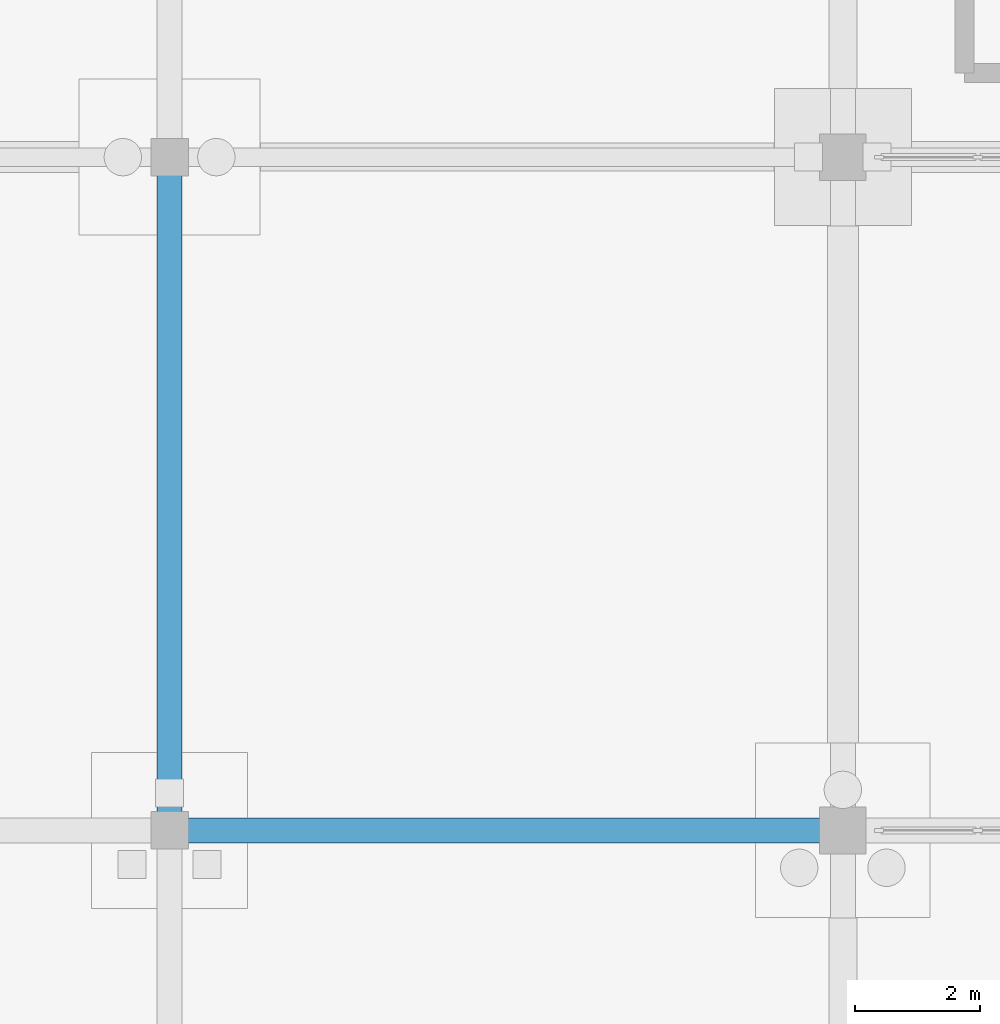
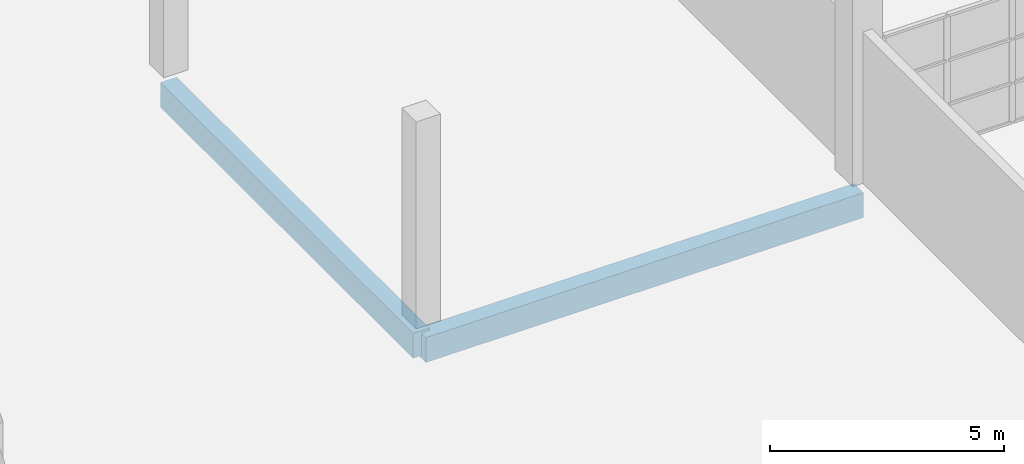
# One storey, part 46 of 138: 2 beams.
"""IFC4 building model written with IfcOpenShell, lengths in metres."""

from ifc_helpers import new_model, si_unit, direction, frame, origin, origin_2d, place, context, subcontext, project, spatial, rectangle, extrude, material, material_profile, profile_set, type_object, element, save


model = new_model("IFC4")

# Units and contexts
model_context = context("Model", 3, precision=1e-05, world=origin(), true_north=direction((0.0, 1.0)))
body_context = subcontext(model_context, "Body", "Model", "MODEL_VIEW")
ifc_project = project(units=[si_unit("LENGTHUNIT", "METRE"), si_unit("AREAUNIT", "SQUARE_METRE"), si_unit("VOLUMEUNIT", "CUBIC_METRE"), si_unit("PLANEANGLEUNIT", "RADIAN"), si_unit("MASSUNIT", "GRAM", prefix="KILO")], contexts=[model_context])

# Site, building, storey
site_placement = place(None, origin())
site = spatial("IfcSite", under=ifc_project, at=site_placement, CompositionType="ELEMENT")
building_placement = place(site_placement, origin())
building = spatial("IfcBuilding", under=site, at=building_placement, Name="Zwinboog Wholesale Market", CompositionType="ELEMENT")
storey_placement = place(building_placement, origin())
storey = spatial("IfcBuildingStorey", under=building, at=storey_placement, Name="L00", CompositionType="ELEMENT", Elevation=0.0)

# Beams
ifc_material = material(Name="Precast concrete C45/55", Category="concrete")
ifc_material_profile = material_profile(ifc_material, rectangle(XDim=0.39990234375, YDim=0.64990234375, at=origin_2d()), Name="PC 400x650")
ifc_profile_set = profile_set([ifc_material_profile], Name="Precast concrete C45/55")
beam_type = type_object("IfcBeamType", Name="BT-05", PredefinedType="BEAM", material=ifc_profile_set)
for number, where, z_axis, x_axis, name in (
    (1, (54.0, 86.39990234375, -0.719970703125), (1.0, 0.0, 0.0), (0.0, 1.0, 0.0), "BG-05 (BMG-L00-0540-0864-0120)"),
    (2, (54.0, 86.39990234375, -0.659912109375), (0.0, 1.0, 0.0), (-1.0, 0.0, 0.0), "BG-05 (BMG-L00-0540-0864-0273)"),
):
    element("IfcBeam", number, at=place(storey_placement, frame(where, z_axis=z_axis, x_axis=x_axis)), inside=storey, type_object=beam_type, Name=name, PredefinedType="BEAM", context=body_context, shape_type="SweptSolid", body=[
        extrude(rectangle(XDim=0.39990234375, YDim=0.64990234375, at=origin_2d()), origin(), (0.0, 0.0, 1.0), 10.800048828125),
    ])

save(model, "model.ifc")
